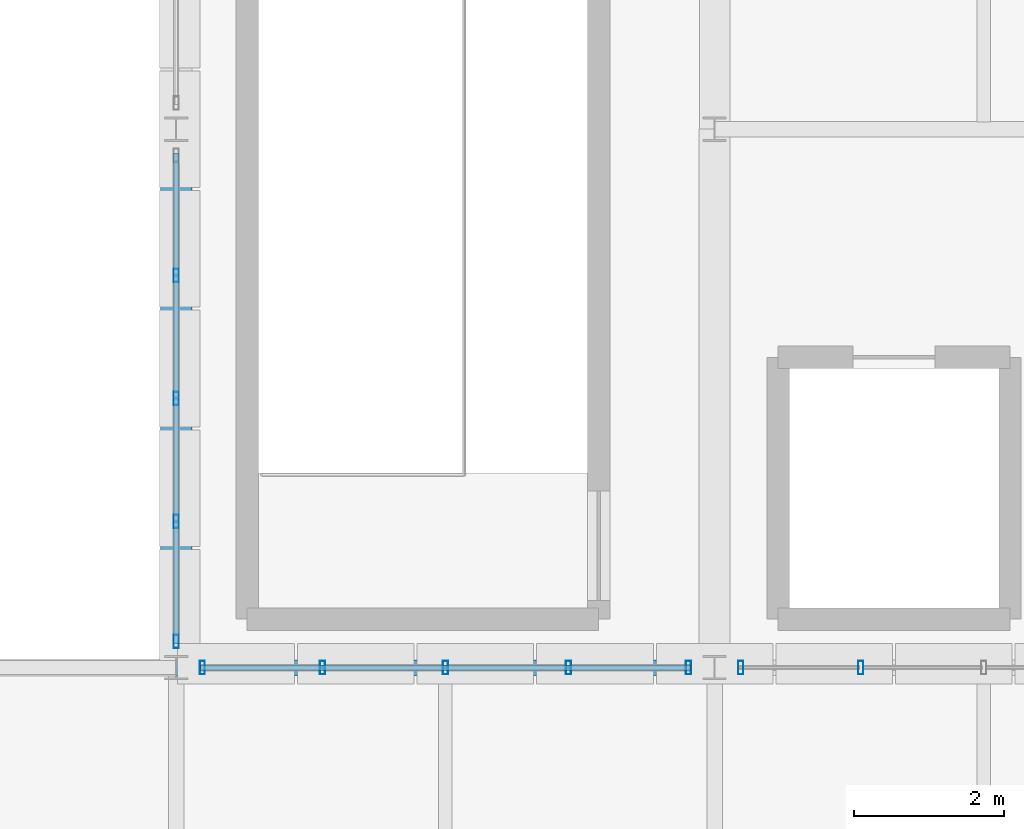
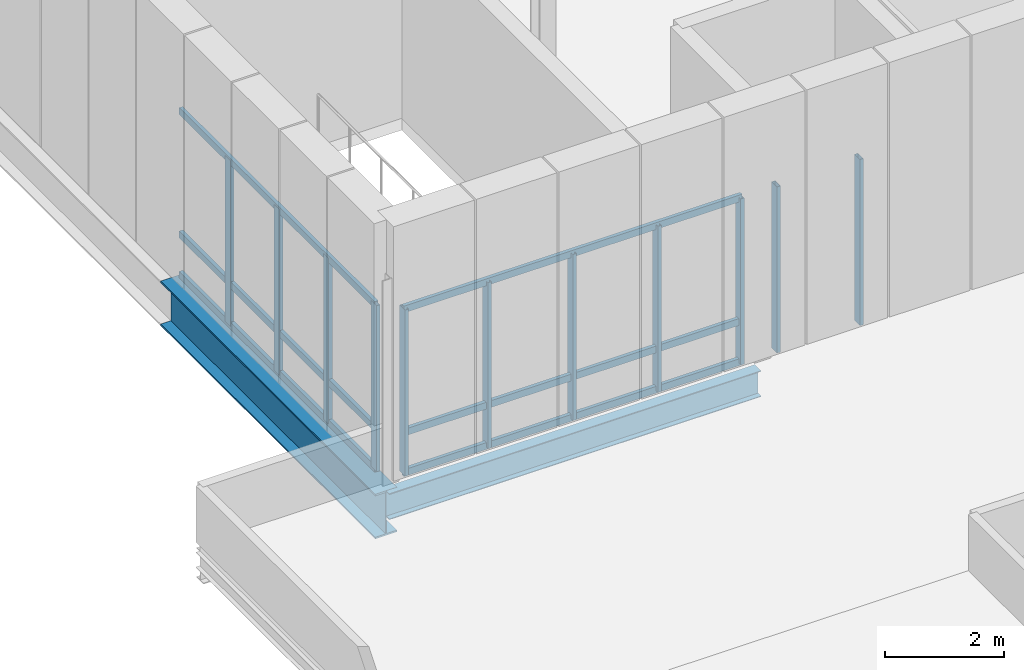
# One storey, part 5 of 47: 17 members, 2 beams, 3 elements without a shape of their own.
"""IFC4 building model written with IfcOpenShell, lengths in metres."""

import ifcopenshell
import ifcopenshell.guid

model = None  # the IFC model being written
_history = None  # IfcOwnerHistory: only IFC2X3 demands one
_inside = {}  # id of a spatial element -> (the spatial element, [elements in it])
_under = {}  # id of a project, library or spatial element -> (it, [spatial elements below it])
_declared = {}  # id of a project -> (the project, [libraries it declares])
_typed = {}  # id of a type object -> (the type object, [elements of that type])
_made_of = {}  # id of a material, layer set ... -> (it, [elements and type objects made of it])


def new_model(schema):
    """Start an empty IFC model of exactly this schema.

    Asked for "IFC4X3", IfcOpenShell would pick the latest addendum, in which some entities
    have other attributes; the version numbers below select the first issue.
    IFC2X3 requires an IfcOwnerHistory on every rooted entity: one is made here for all.
    """
    global model, _history
    if schema == "IFC4X3":
        model = ifcopenshell.file(schema_version=(4, 3, 0, 0))
    else:
        model = ifcopenshell.file(schema=schema)
    _inside.clear()
    _under.clear()
    _declared.clear()
    _typed.clear()
    _made_of.clear()
    _history = None
    if model.schema == "IFC2X3":
        org = make("IfcOrganization", Name="unknown")
        user = make(
            "IfcPersonAndOrganization",
            ThePerson=make("IfcPerson", FamilyName="unknown"),
            TheOrganization=org,
        )
        app = make(
            "IfcApplication",
            ApplicationDeveloper=org,
            Version="unknown",
            ApplicationFullName="unknown",
            ApplicationIdentifier="unknown",
        )
        _history = make(
            "IfcOwnerHistory",
            OwningUser=user,
            OwningApplication=app,
            ChangeAction="ADDED",
            CreationDate=0,
        )
    return model


def make(cls, **values):
    """One entity of the class cls with the attributes given. An attribute that is None is left unset."""
    return model.create_entity(
        cls, **{name: value for name, value in values.items() if value is not None}
    )


def rooted(cls, **values):
    """An entity with a GlobalId (a new one), such as an element, a storey or a relation."""
    return make(cls, GlobalId=ifcopenshell.guid.new(), OwnerHistory=_history, **values)


def si_unit(unit_type, name, prefix=None):
    """IfcSIUnit, for example si_unit("LENGTHUNIT", "METRE", prefix="MILLI")."""
    return make("IfcSIUnit", UnitType=unit_type, Prefix=prefix, Name=name)


def assignment(units):
    """IfcUnitAssignment: the units of a project."""
    return None if units is None else make("IfcUnitAssignment", Units=units)


def point(xyz):
    """IfcCartesianPoint."""
    return None if xyz is None else make("IfcCartesianPoint", Coordinates=xyz)


def direction(xyz):
    """IfcDirection."""
    return None if xyz is None else make("IfcDirection", DirectionRatios=xyz)


def frame(location, z_axis=None, x_axis=None):
    """IfcAxis2Placement3D, a coordinate frame: its origin and axes. An axis left out is left unset."""
    return make(
        "IfcAxis2Placement3D",
        Location=point(location),
        Axis=direction(z_axis),
        RefDirection=direction(x_axis),
    )


def frame_2d(location, x_axis=None):
    """IfcAxis2Placement2D, a coordinate frame in the plane: its origin and x axis."""
    return make(
        "IfcAxis2Placement2D", Location=point(location), RefDirection=direction(x_axis)
    )


def origin():
    """The frame at (0, 0, 0) with its axes left unset."""
    return frame((0.0, 0.0, 0.0))


def origin_2d():
    """The frame at (0, 0) in the plane with its x axis left unset."""
    return frame_2d((0.0, 0.0))


def place(relative_to, where):
    """IfcLocalPlacement: puts the frame where relative to a parent placement (None: the world)."""
    return make(
        "IfcLocalPlacement", PlacementRelTo=relative_to, RelativePlacement=where
    )


def context(
    kind, dimensions, precision=None, world=None, true_north=None, identifier=None
):
    """IfcGeometricRepresentationContext, for example the 3D "Model" context."""
    return make(
        "IfcGeometricRepresentationContext",
        ContextIdentifier=identifier,
        ContextType=kind,
        CoordinateSpaceDimension=dimensions,
        Precision=precision,
        WorldCoordinateSystem=world,
        TrueNorth=true_north,
    )


def subcontext(parent, identifier, kind, view, scale=None):
    """IfcGeometricRepresentationSubContext, for example "Body" below "Model"."""
    return make(
        "IfcGeometricRepresentationSubContext",
        ContextIdentifier=identifier,
        ContextType=kind,
        ParentContext=parent,
        TargetScale=scale,
        TargetView=view,
    )


def project(units=None, contexts=None):
    """IfcProject with its units and contexts."""
    return rooted(
        "IfcProject",
        Name="project",
        RepresentationContexts=contexts,
        UnitsInContext=assignment(units),
    )


def spatial(cls, under=None, at=None, **own):
    """A site, building, storey or space (cls), placed at a placement, below another one or the project."""
    s = rooted(cls, ObjectPlacement=at, **own)
    if under is not None:
        _under.setdefault(under.id(), (under, []))[1].append(s)
    return s


def profile(cls, at=None, kind="AREA", **sizes):
    """A parametric profile (cls). Its sizes go by their IFC names, for example OverallWidth=200.0."""
    return make(cls, ProfileType=kind, Position=at, **sizes)


def hollow_rectangle(**sizes):
    """IfcRectangleHollowProfileDef."""
    return profile("IfcRectangleHollowProfileDef", **sizes)


def i_section(**sizes):
    """IfcIShapeProfileDef."""
    return profile("IfcIShapeProfileDef", **sizes)


def extrude(swept, where, along, depth):
    """IfcExtrudedAreaSolid: the profile swept, set in the frame where, extruded along a direction by depth."""
    return make(
        "IfcExtrudedAreaSolid",
        SweptArea=swept,
        Position=where,
        ExtrudedDirection=direction(along),
        Depth=depth,
    )


def shape(context_of_items, identifier, shape_type, items):
    """IfcShapeRepresentation: the items that make up one representation, for example the "Body"."""
    return make(
        "IfcShapeRepresentation",
        ContextOfItems=context_of_items,
        RepresentationIdentifier=identifier,
        RepresentationType=shape_type,
        Items=items,
    )


def material(Name=None, Category=None):
    """IfcMaterial."""
    return make("IfcMaterial", Name=Name, Category=Category)


def material_profile(
    of_material, cross_section, Name=None, Category=None, Priority=None
):
    """IfcMaterialProfile: a cross section and its material."""
    return make(
        "IfcMaterialProfile",
        Name=Name,
        Material=of_material,
        Profile=cross_section,
        Priority=Priority,
        Category=Category,
    )


def profile_set(profiles, Name=None, composite=None):
    """IfcMaterialProfileSet."""
    return make(
        "IfcMaterialProfileSet",
        Name=Name,
        MaterialProfiles=profiles,
        CompositeProfile=composite,
    )


def made_of(thing, what):
    """Note that an element or type object is made of a material, layer set ...; save() writes the relation."""
    if what is not None:
        _made_of.setdefault(what.id(), (what, []))[1].append(thing)
    return thing


def type_object(cls, material=None, **own):
    """A type object (cls), such as IfcWallType, which elements share."""
    return made_of(rooted(cls, **own), material)


def element(
    cls,
    number,
    at=None,
    inside=None,
    cuts=None,
    type_object=None,
    material=None,
    context=None,
    identifier="Body",
    shape_type=None,
    held_by="IfcProductDefinitionShape",
    body=None,
    shapes=None,
    **own,
):
    """One element of the class cls, such as IfcWall. Its Tag is "e" and its number.

    at: its placement. inside: the storey or other place that contains it. cuts: it is an
    opening in that element (IfcRelVoidsElement). A single representation is given by context,
    identifier, shape_type and body (its items); several are given by shapes. held_by: the class
    of the entity that holds the representations. save() writes the other relations.
    """
    e = rooted(cls, Tag="e%d" % number, ObjectPlacement=at, **own)
    if body is not None:
        shapes = [shape(context, identifier, shape_type, body)]
    if shapes is not None:
        e.Representation = make(held_by, Representations=shapes)
    if inside is not None:
        _inside.setdefault(inside.id(), (inside, []))[1].append(e)
    if cuts is not None:
        rooted(
            "IfcRelVoidsElement", RelatingBuildingElement=cuts, RelatedOpeningElement=e
        )
    if type_object is not None:
        _typed.setdefault(type_object.id(), (type_object, []))[1].append(e)
    return made_of(e, material)


def aggregate(whole, parts):
    """IfcRelAggregates: a whole, such as a stair, and the parts it consists of."""
    return rooted("IfcRelAggregates", RelatingObject=whole, RelatedObjects=parts)


def save(model, path):
    """Write the relations noted so far, then the file.

    IfcRelAggregates (storeys below a building ...), IfcRelContainedInSpatialStructure (elements
    in a storey), IfcRelDefinesByType, IfcRelAssociatesMaterial and IfcRelDeclares: one each for
    every whole, place, type object, material and project.
    """
    for whole, parts in _under.values():
        aggregate(whole, parts)
    for where, things in _inside.values():
        rooted(
            "IfcRelContainedInSpatialStructure",
            RelatedElements=things,
            RelatingStructure=where,
        )
    for kind, things in _typed.values():
        rooted("IfcRelDefinesByType", RelatedObjects=things, RelatingType=kind)
    for what, things in _made_of.values():
        rooted("IfcRelAssociatesMaterial", RelatedObjects=things, RelatingMaterial=what)
    for by, libraries in _declared.values():
        rooted("IfcRelDeclares", RelatingContext=by, RelatedDefinitions=libraries)
    model.write(path)


model = new_model("IFC4")

# Units and contexts
model_context = context("Model", 3, precision=1e-05, world=origin(), true_north=direction((0.0, 1.0)))
body_context = subcontext(model_context, "Body", "Model", "MODEL_VIEW")
ifc_project = project(units=[si_unit("LENGTHUNIT", "METRE"), si_unit("AREAUNIT", "SQUARE_METRE"), si_unit("VOLUMEUNIT", "CUBIC_METRE"), si_unit("PLANEANGLEUNIT", "RADIAN"), si_unit("MASSUNIT", "GRAM", prefix="KILO")], contexts=[model_context])

# Site, building, storey
site_placement = place(None, origin())
site = spatial("IfcSite", under=ifc_project, at=site_placement, CompositionType="ELEMENT")
building_placement = place(site_placement, origin())
building = spatial("IfcBuilding", under=site, at=building_placement, Name="Yarey Park Central Fire Station", CompositionType="ELEMENT")
storey_placement = place(building_placement, frame((0.0, 0.0, 18.0)))
storey = spatial("IfcBuildingStorey", under=building, at=storey_placement, Name="L05", CompositionType="ELEMENT", Elevation=18.0)

# Curtain wall, members
ifc_material_1 = material(Name="Anodized Aluminium Frame", Category="aluminium")
curtain_wall_type = type_object("IfcCurtainWallType", Name="ENV_CW_V3_PAV", PredefinedType="NOTDEFINED", material=ifc_material_1)
curtain_wall_1_placement = place(storey_placement, origin())
curtain_wall_1 = element("IfcCurtainWall", 1, at=curtain_wall_1_placement, inside=storey, type_object=curtain_wall_type, Name="CW_L05_V3_S_079", PredefinedType="NOTDEFINED")
ifc_material_profile_1 = material_profile(ifc_material_1, hollow_rectangle(XDim=0.070068359375, YDim=0.179931640625, WallThickness=0.00390625, at=origin_2d()), Name="ALU 180x70x4")
ifc_profile_set_1 = profile_set([ifc_material_profile_1], Name="Anodized Aluminium Frame")
member_type_1 = type_object("IfcMemberType", Name="ENV_CW_MULLION", PredefinedType="MULLION", material=ifc_profile_set_1)
member_1_placement = place(storey_placement, frame((29.14990234375, 57.60009765625, 0.0), z_axis=(0.0, 0.0, 1.0), x_axis=(1.0, 0.0, 0.0)))
member_1 = element("IfcMember", 2, at=member_1_placement, type_object=member_type_1, Name="CW_L05_V3_S_079_MUL1", PredefinedType="MULLION", context=body_context, shape_type="SweptSolid", body=[
    extrude(hollow_rectangle(XDim=0.070068359375, YDim=0.179931640625, WallThickness=0.00390625, at=origin_2d()), origin(), (0.0, 0.0, 1.0), 3.39990234375),
])
member_2_placement = place(storey_placement, frame((30.7548828125, 57.60009765625, 0.0), z_axis=(0.0, 0.0, 1.0), x_axis=(1.0, 0.0, 0.0)))
member_2 = element("IfcMember", 3, at=member_2_placement, type_object=member_type_1, Name="CW_L05_V3_S_079_MUL2", PredefinedType="MULLION", context=body_context, shape_type="SweptSolid", body=[
    extrude(hollow_rectangle(XDim=0.070068359375, YDim=0.179931640625, WallThickness=0.00390625, at=origin_2d()), origin(), (0.0, 0.0, 1.0), 3.39990234375),
])
member_3_placement = place(storey_placement, frame((32.39990234375, 57.60009765625, 0.0), z_axis=(0.0, 0.0, 1.0), x_axis=(1.0, 0.0, 0.0)))
member_3 = element("IfcMember", 4, at=member_3_placement, type_object=member_type_1, Name="CW_L05_V3_S_079_MUL3", PredefinedType="MULLION", context=body_context, shape_type="SweptSolid", body=[
    extrude(hollow_rectangle(XDim=0.070068359375, YDim=0.179931640625, WallThickness=0.00390625, at=origin_2d()), origin(), (0.0, 0.0, 1.0), 3.39990234375),
])
member_4_placement = place(storey_placement, frame((34.044921875, 57.60009765625, 0.0), z_axis=(0.0, 0.0, 1.0), x_axis=(1.0, 0.0, 0.0)))
member_4 = element("IfcMember", 5, at=member_4_placement, type_object=member_type_1, Name="CW_L05_V3_S_079_MUL4", PredefinedType="MULLION", context=body_context, shape_type="SweptSolid", body=[
    extrude(hollow_rectangle(XDim=0.070068359375, YDim=0.179931640625, WallThickness=0.00390625, at=origin_2d()), origin(), (0.0, 0.0, 1.0), 3.39990234375),
])
member_5_placement = place(storey_placement, frame((35.64990234375, 57.60009765625, 0.0), z_axis=(0.0, 0.0, 1.0), x_axis=(1.0, 0.0, 0.0)))
member_5 = element("IfcMember", 6, at=member_5_placement, type_object=member_type_1, Name="CW_L05_V3_S_079_MUL5", PredefinedType="MULLION", context=body_context, shape_type="SweptSolid", body=[
    extrude(hollow_rectangle(XDim=0.070068359375, YDim=0.179931640625, WallThickness=0.00390625, at=origin_2d()), origin(), (0.0, 0.0, 1.0), 3.39990234375),
])

curtain_wall_2_placement = place(storey_placement, origin())
curtain_wall_2 = element("IfcCurtainWall", 7, at=curtain_wall_2_placement, inside=storey, type_object=curtain_wall_type, Name="CW_L05_V3_S_080", PredefinedType="NOTDEFINED")
member_6_placement = place(storey_placement, frame((36.35009765625, 57.60009765625, 0.0), z_axis=(0.0, 0.0, 1.0), x_axis=(1.0, 0.0, 0.0)))
member_6 = element("IfcMember", 8, at=member_6_placement, type_object=member_type_1, Name="CW_L05_V3_S_080_MUL1", PredefinedType="MULLION", context=body_context, shape_type="SweptSolid", body=[
    extrude(hollow_rectangle(XDim=0.070068359375, YDim=0.179931640625, WallThickness=0.00390625, at=origin_2d()), origin(), (0.0, 0.0, 1.0), 3.39990234375),
])
member_7_placement = place(storey_placement, frame((37.955078125, 57.60009765625, 0.0), z_axis=(0.0, 0.0, 1.0), x_axis=(1.0, 0.0, 0.0)))
member_7 = element("IfcMember", 9, at=member_7_placement, type_object=member_type_1, Name="CW_L05_V3_S_080_MUL2", PredefinedType="MULLION", context=body_context, shape_type="SweptSolid", body=[
    extrude(hollow_rectangle(XDim=0.070068359375, YDim=0.179931640625, WallThickness=0.00390625, at=origin_2d()), origin(), (0.0, 0.0, 1.0), 3.39990234375),
])
aggregate(curtain_wall_2, [member_6, member_7])

curtain_wall_3_placement = place(storey_placement, origin())
curtain_wall_3 = element("IfcCurtainWall", 10, at=curtain_wall_3_placement, inside=storey, type_object=curtain_wall_type, Name="CW_L05_V3_W_083", PredefinedType="NOTDEFINED")
member_8_placement = place(storey_placement, frame((28.800048828125, 62.844970703125, 0.0), z_axis=(0.0, 0.0, 1.0), x_axis=(1.0, 0.0, 0.0)))
member_8 = element("IfcMember", 11, at=member_8_placement, type_object=member_type_1, Name="CW_L05_V3_W_083_MUL2", PredefinedType="MULLION", context=body_context, shape_type="SweptSolid", body=[
    extrude(hollow_rectangle(XDim=0.070068359375, YDim=0.179931640625, WallThickness=0.00390625, at=origin_2d()), origin(), (0.0, 0.0, 1.0), 3.39990234375),
])
member_9_placement = place(storey_placement, frame((28.800048828125, 61.199951171875, 0.0), z_axis=(0.0, 0.0, 1.0), x_axis=(1.0, 0.0, 0.0)))
member_9 = element("IfcMember", 12, at=member_9_placement, type_object=member_type_1, Name="CW_L05_V3_W_083_MUL3", PredefinedType="MULLION", context=body_context, shape_type="SweptSolid", body=[
    extrude(hollow_rectangle(XDim=0.070068359375, YDim=0.179931640625, WallThickness=0.00390625, at=origin_2d()), origin(), (0.0, 0.0, 1.0), 3.39990234375),
])
member_10_placement = place(storey_placement, frame((28.800048828125, 59.554931640625, 0.0), z_axis=(0.0, 0.0, 1.0), x_axis=(1.0, 0.0, 0.0)))
member_10 = element("IfcMember", 13, at=member_10_placement, type_object=member_type_1, Name="CW_L05_V3_W_083_MUL4", PredefinedType="MULLION", context=body_context, shape_type="SweptSolid", body=[
    extrude(hollow_rectangle(XDim=0.070068359375, YDim=0.179931640625, WallThickness=0.00390625, at=origin_2d()), origin(), (0.0, 0.0, 1.0), 3.39990234375),
])
member_11_placement = place(storey_placement, frame((28.800048828125, 57.949951171875, 0.0), z_axis=(0.0, 0.0, 1.0), x_axis=(1.0, 0.0, 0.0)))
member_11 = element("IfcMember", 14, at=member_11_placement, type_object=member_type_1, Name="CW_L05_V3_W_083_MUL5", PredefinedType="MULLION", context=body_context, shape_type="SweptSolid", body=[
    extrude(hollow_rectangle(XDim=0.070068359375, YDim=0.179931640625, WallThickness=0.00390625, at=origin_2d()), origin(), (0.0, 0.0, 1.0), 3.39990234375),
])

# Member
ifc_material_profile_2 = material_profile(ifc_material_1, hollow_rectangle(XDim=0.070068359375, YDim=0.139892578125, WallThickness=0.00390625, at=origin_2d()), Name="ALU 140x70x4")
ifc_profile_set_2 = profile_set([ifc_material_profile_2], Name="Anodized Aluminium Frame")
member_type_2 = type_object("IfcMemberType", Name="ENV_CW_TRANSOM", PredefinedType="USERDEFINED", material=ifc_profile_set_2)
member_12_placement = place(storey_placement, frame((29.125, 57.60009765625, 0.02490234375), z_axis=(1.0, 0.0, 0.0), x_axis=(0.0, 1.0, 0.0)))
member_12 = element("IfcMember", 15, at=member_12_placement, type_object=member_type_2, Name="CW_L05_V3_S_079_TRN1", ObjectType="TRANSOM", PredefinedType="USERDEFINED", context=body_context, shape_type="SweptSolid", body=[
    extrude(hollow_rectangle(XDim=0.070068359375, YDim=0.139892578125, WallThickness=0.00390625, at=origin_2d()), origin(), (0.0, 0.0, 1.0), 6.550048828125),
])

member_13_placement = place(storey_placement, frame((29.125, 57.60009765625, 0.85009765625), z_axis=(1.0, 0.0, 0.0), x_axis=(0.0, 1.0, 0.0)))
member_13 = element("IfcMember", 16, at=member_13_placement, type_object=member_type_2, Name="CW_L05_V3_S_079_TRN2", ObjectType="TRANSOM", PredefinedType="USERDEFINED", context=body_context, shape_type="SweptSolid", body=[
    extrude(hollow_rectangle(XDim=0.070068359375, YDim=0.139892578125, WallThickness=0.00390625, at=origin_2d()), origin(), (0.0, 0.0, 1.0), 6.550048828125),
])

member_14_placement = place(storey_placement, frame((29.125, 57.60009765625, 3.375), z_axis=(1.0, 0.0, 0.0), x_axis=(0.0, 1.0, 0.0)))
member_14 = element("IfcMember", 17, at=member_14_placement, type_object=member_type_2, Name="CW_L05_V3_S_079_TRN3", ObjectType="TRANSOM", PredefinedType="USERDEFINED", context=body_context, shape_type="SweptSolid", body=[
    extrude(hollow_rectangle(XDim=0.070068359375, YDim=0.139892578125, WallThickness=0.00390625, at=origin_2d()), origin(), (0.0, 0.0, 1.0), 6.550048828125),
])

aggregate(curtain_wall_1, [member_1, member_2, member_3, member_4, member_5, member_12, member_13, member_14])

member_15_placement = place(storey_placement, frame((28.800048828125, 64.47509765625, 0.02490234375), z_axis=(0.0, -1.0, 0.0), x_axis=(1.0, 0.0, 0.0)))
member_15 = element("IfcMember", 18, at=member_15_placement, type_object=member_type_2, Name="CW_L05_V3_W_083_TRN1", ObjectType="TRANSOM", PredefinedType="USERDEFINED", context=body_context, shape_type="SweptSolid", body=[
    extrude(hollow_rectangle(XDim=0.070068359375, YDim=0.139892578125, WallThickness=0.00390625, at=origin_2d()), origin(), (0.0, 0.0, 1.0), 6.550048828125),
])

member_16_placement = place(storey_placement, frame((28.800048828125, 64.47509765625, 0.85009765625), z_axis=(0.0, -1.0, 0.0), x_axis=(1.0, 0.0, 0.0)))
member_16 = element("IfcMember", 19, at=member_16_placement, type_object=member_type_2, Name="CW_L05_V3_W_083_TRN2", ObjectType="TRANSOM", PredefinedType="USERDEFINED", context=body_context, shape_type="SweptSolid", body=[
    extrude(hollow_rectangle(XDim=0.070068359375, YDim=0.139892578125, WallThickness=0.00390625, at=origin_2d()), origin(), (0.0, 0.0, 1.0), 6.550048828125),
])

member_17_placement = place(storey_placement, frame((28.800048828125, 64.47509765625, 3.375), z_axis=(0.0, -1.0, 0.0), x_axis=(1.0, 0.0, 0.0)))
member_17 = element("IfcMember", 20, at=member_17_placement, type_object=member_type_2, Name="CW_L05_V3_W_083_TRN3", ObjectType="TRANSOM", PredefinedType="USERDEFINED", context=body_context, shape_type="SweptSolid", body=[
    extrude(hollow_rectangle(XDim=0.070068359375, YDim=0.139892578125, WallThickness=0.00390625, at=origin_2d()), origin(), (0.0, 0.0, 1.0), 6.550048828125),
])

aggregate(curtain_wall_3, [member_8, member_9, member_10, member_11, member_15, member_16, member_17])

# Beams
ifc_material_2 = material(Name="Steel ASTM A992 Gr. 50", Category="steel")
ifc_material_profile_3 = material_profile(ifc_material_2, i_section(OverallWidth=0.208984375, OverallDepth=0.532958984375, WebThickness=0.01025390625, FlangeThickness=0.015625, at=origin_2d()), Name="W530x92")
ifc_profile_set_3 = profile_set([ifc_material_profile_3], Name="Steel ASTM A992 Gr. 50")
beam_type_1 = type_object("IfcBeamType", Name="STR_BM_W530", PredefinedType="BEAM", material=ifc_profile_set_3)
beam_1_placement = place(storey_placement, frame((28.800048828125, 57.60009765625, -0.506591796875), z_axis=(1.0, 0.0, 0.0), x_axis=(0.0, 1.0, 0.0)))
element("IfcBeam", 21, at=beam_1_placement, inside=storey, type_object=beam_type_1, Name="BMX L05 Y576 X288", PredefinedType="BEAM", context=body_context, shape_type="SweptSolid", body=[
    extrude(i_section(OverallWidth=0.208984375, OverallDepth=0.532958984375, WebThickness=0.01025390625, FlangeThickness=0.015625, at=origin_2d()), origin(), (0.0, 0.0, 1.0), 7.199951171875),
])
ifc_material_profile_4 = material_profile(ifc_material_2, i_section(OverallWidth=0.41796875, OverallDepth=0.912109375, WebThickness=0.019287109375, FlangeThickness=0.031982421875, at=origin_2d()), Name="W920x342")
ifc_profile_set_4 = profile_set([ifc_material_profile_4], Name="Steel ASTM A992 Gr. 50")
beam_type_2 = type_object("IfcBeamType", Name="STR_BM_W920E", PredefinedType="BEAM", material=ifc_profile_set_4)
beam_2_placement = place(storey_placement, frame((28.800048828125, 57.60009765625, -0.696044921875), z_axis=(0.0, 1.0, 0.0), x_axis=(-1.0, 0.0, 0.0)))
element("IfcBeam", 22, at=beam_2_placement, inside=storey, type_object=beam_type_2, Name="Transfer Truss TT1 L05 CH1", PredefinedType="BEAM", context=body_context, shape_type="SweptSolid", body=[
    extrude(i_section(OverallWidth=0.41796875, OverallDepth=0.912109375, WebThickness=0.019287109375, FlangeThickness=0.031982421875, at=origin_2d()), origin(), (0.0, 0.0, 1.0), 7.199951171875),
])

save(model, "model.ifc")
